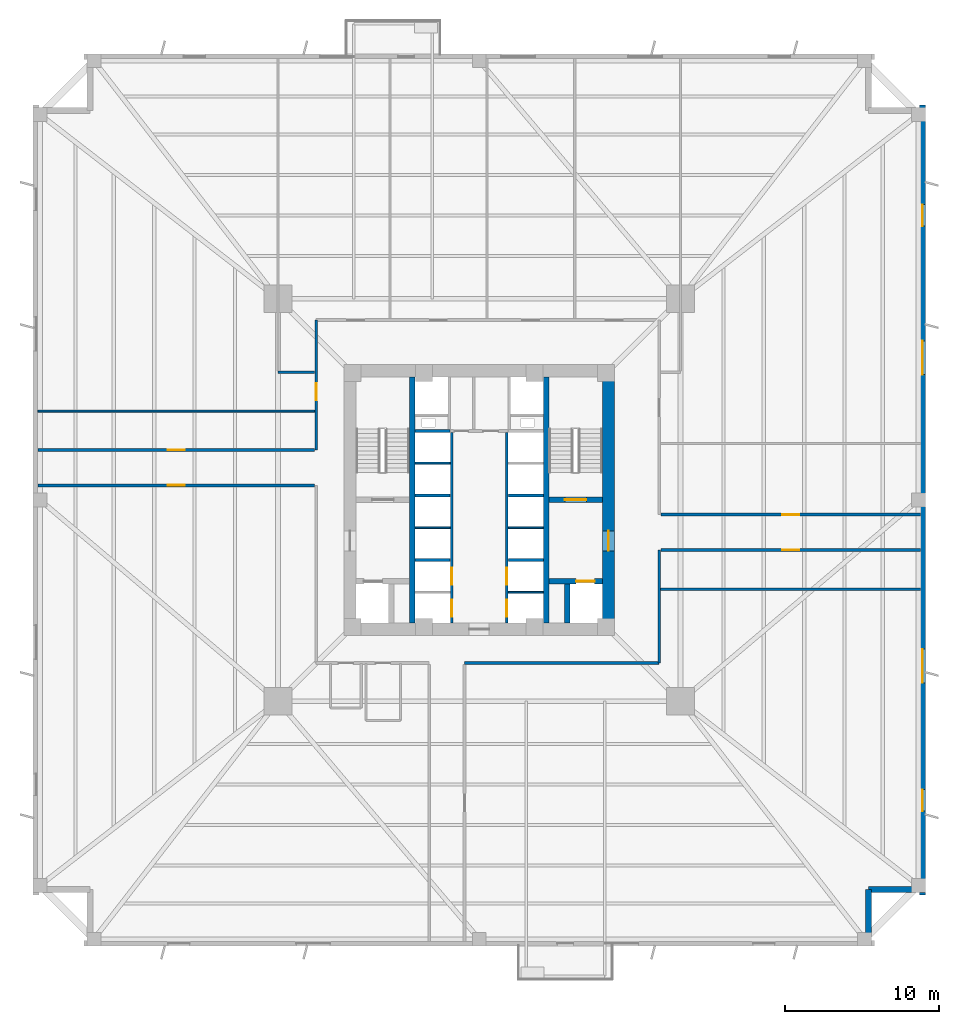
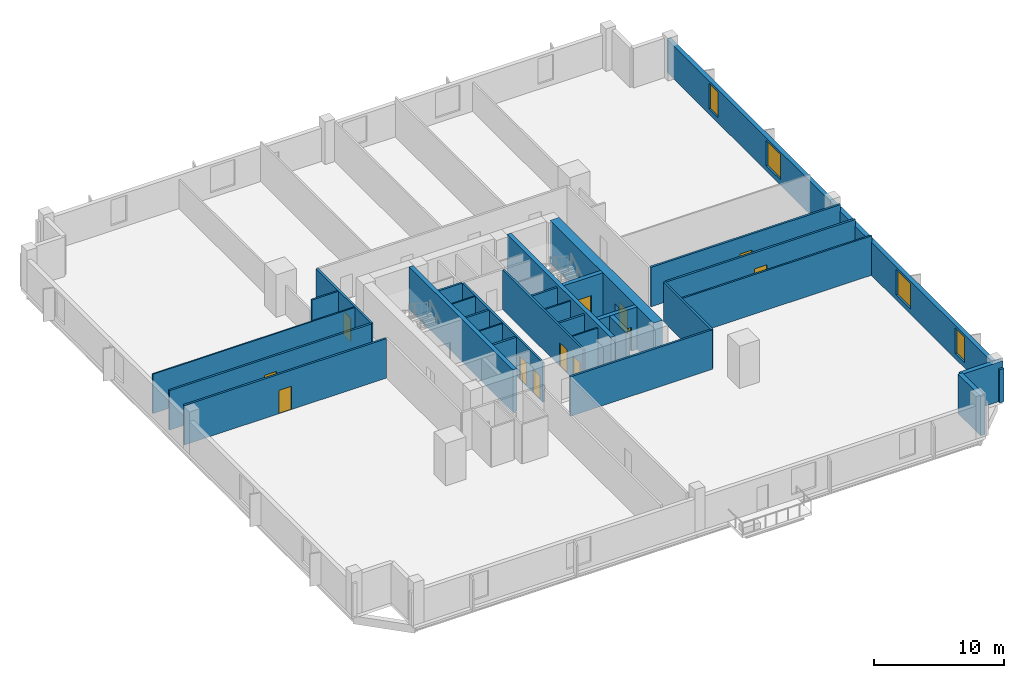
# One storey, part 3 of 8: 30 walls, 12 doors, 4 windows, 16 openings.
"""IFC4 building model written with IfcOpenShell, lengths in metres."""

from ifc_helpers import new_model, si_unit, direction, frame, frame_2d, origin, place, context, subcontext, project, spatial, rectangle, extrude, source, transform, mapped, material, layer, layer_set, type_object, element, fill, save


model = new_model("IFC4")

# Units and contexts
model_context = context("Model", 3, precision=1e-05, world=origin(), true_north=direction((0.0, 1.0)))
body_context = subcontext(model_context, "Body", "Model", "MODEL_VIEW")
ifc_project = project(units=[si_unit("LENGTHUNIT", "METRE"), si_unit("AREAUNIT", "SQUARE_METRE"), si_unit("VOLUMEUNIT", "CUBIC_METRE"), si_unit("PLANEANGLEUNIT", "RADIAN"), si_unit("MASSUNIT", "GRAM", prefix="KILO"), si_unit("THERMODYNAMICTEMPERATUREUNIT", "KELVIN")], contexts=[model_context])

# Site, building, storey
site_placement = place(None, origin())
site = spatial("IfcSite", under=ifc_project, at=site_placement, CompositionType="ELEMENT")
building_placement = place(site_placement, origin())
building = spatial("IfcBuilding", under=site, at=building_placement, Name="Kosmvard Interchange Tower", CompositionType="ELEMENT")
storey_placement = place(building_placement, frame((0.0, 0.0, 38.0)))
storey = spatial("IfcBuildingStorey", under=building, at=storey_placement, Name="L08", CompositionType="ELEMENT", Elevation=38.0)

# Walls
ifc_material_1 = material(Name="Acoustic gypsum partition system")
ifc_layer_1 = layer(ifc_material_1, 0.14990234375, Name="Acoustic gypsum partition system")
ifc_layer_set_1 = layer_set([ifc_layer_1], Name="Acoustic gypsum partition system")
wall_type_1 = type_object("IfcWallType", Name="Acoustic Suite & Meeting Partition 150", PredefinedType="PARTITIONING", material=ifc_layer_set_1)
wall_1_placement = place(storey_placement, frame((-10.695068359375, 8.300048828125, 0.0), z_axis=(0.0, 0.0, 1.0), x_axis=(-1.0, 0.0, 0.0)))
element("IfcWall", 1, at=wall_1_placement, inside=storey, type_object=wall_type_1, Name="L08 Room Partition 01.1", PredefinedType="PARTITIONING", context=body_context, shape_type="SweptSolid", body=[
    extrude(rectangle(XDim=2.385986328125, YDim=0.14990234375, at=frame_2d((1.19287109375, 0.0))), origin(), (0.0, 0.0, 1.0), 3.719970703125),
])
wall_2_placement = place(storey_placement, frame((11.794921875, -5.800048828125, 0.0), z_axis=(0.0, 0.0, 1.0), x_axis=(1.0, 0.0, 0.0)))
element("IfcWall", 2, at=wall_2_placement, inside=storey, type_object=wall_type_1, Name="L08 Room Partition 10.1", PredefinedType="PARTITIONING", context=body_context, shape_type="SweptSolid", body=[
    extrude(rectangle(XDim=16.89013671875, YDim=0.14990234375, at=frame_2d((8.445068359375, 0.0))), origin(), (0.0, 0.0, 1.0), 3.719970703125),
])

# Wall, openings, doors
ifc_material_2 = material(Name="Fire-rated gypsum partition system")
ifc_layer_2 = layer(ifc_material_2, 0.179931640625, Name="Fire-rated gypsum partition system")
ifc_layer_set_2 = layer_set([ifc_layer_2], Name="Fire-rated gypsum partition system")
wall_type_2 = type_object("IfcWallType", Name="Corridor & Hotel Compartment Partition 180", PredefinedType="PARTITIONING", material=ifc_layer_set_2)
wall_3_placement = place(storey_placement, frame((-1.7900390625, -7.97998046875, 0.0), z_axis=(0.0, 0.0, 1.0), x_axis=(0.0, 1.0, 0.0)))
wall_3 = element("IfcWall", 3, at=wall_3_placement, inside=storey, type_object=wall_type_2, Name="L08 West Lift Bank Front Wall", PredefinedType="PARTITIONING", context=body_context, shape_type="SweptSolid", body=[
    extrude(rectangle(XDim=12.3798828125, YDim=0.179931640625, at=frame_2d((6.18994140625, 0.0))), origin(), (0.0, 0.0, 1.0), 3.719970703125),
])
opening_1_placement = place(wall_3_placement, frame((0.39990234375, 0.0, 0.0)))
opening_1 = element("IfcOpeningElement", 4, at=opening_1_placement, cuts=wall_3, Name="Opening LD-PL-L1-L08", PredefinedType="OPENING", context=body_context, shape_type="SweptSolid", body=[
    extrude(rectangle(XDim=1.10009765625, YDim=2.199951171875, at=frame_2d((0.550048828125, 1.10009765625))), frame((0.0, 0.10009765625, 0.0), z_axis=(0.0, -1.0, 0.0), x_axis=(1.0, 0.0, 0.0)), (0.0, 0.0, 1.0), 0.199951171875),
])
opening_2_placement = place(wall_3_placement, frame((2.4599609375, 0.0, 0.0)))
opening_2 = element("IfcOpeningElement", 5, at=opening_2_placement, cuts=wall_3, Name="Opening LD-PL-L2-L08", PredefinedType="OPENING", context=body_context, shape_type="SweptSolid", body=[
    extrude(rectangle(XDim=1.10009765625, YDim=2.199951171875, at=frame_2d((0.550048828125, 1.10009765625))), frame((0.0, 0.10009765625, 0.0), z_axis=(0.0, -1.0, 0.0), x_axis=(1.0, 0.0, 0.0)), (0.0, 0.0, 1.0), 0.199951171875),
])
ifc_material_3 = material(Name="Brushed stainless steel sliding leaf", Category="steel")
door_type_1 = type_object("IfcDoorType", Name="Passenger Lift Sliding Landing Door 1100x2200 EI60", OperationType="DOUBLE_DOOR_SLIDING", PredefinedType="DOOR", material=ifc_material_3)
shared_shape_1 = source(origin(), body_context, "Body", "SweptSolid", [
    extrude(rectangle(XDim=1.10009765625, YDim=2.199951171875, at=frame_2d((0.550048828125, 1.10009765625))), frame((0.0, 0.02490234375, 0.0), z_axis=(0.0, -1.0, 0.0), x_axis=(1.0, 0.0, 0.0)), (0.0, 0.0, 1.0), 0.050048828125),
])
door_1_placement = place(opening_1_placement, frame((1.10009765625, 0.0, 0.0), z_axis=(0.0, 0.0, 1.0), x_axis=(-1.0, 0.0, 0.0)))
door_1 = element("IfcDoor", 6, at=door_1_placement, inside=storey, type_object=door_type_1, Name="Lift PL-L1 Landing Door L08", OperationType="DOUBLE_DOOR_SLIDING", OverallHeight=2.199951171875, OverallWidth=1.10009765625, PredefinedType="DOOR", context=body_context, shape_type="MappedRepresentation", body=[
    mapped(shared_shape_1, transform((0.0, 0.0, 0.0), scale=1.0)),
])
fill(opening_1, door_1)
door_2_placement = place(opening_2_placement, frame((1.10009765625, 0.0, 0.0), z_axis=(0.0, 0.0, 1.0), x_axis=(-1.0, 0.0, 0.0)))
door_2 = element("IfcDoor", 7, at=door_2_placement, inside=storey, type_object=door_type_1, Name="Lift PL-L2 Landing Door L08", OperationType="DOUBLE_DOOR_SLIDING", OverallHeight=2.199951171875, OverallWidth=1.10009765625, PredefinedType="DOOR", context=body_context, shape_type="MappedRepresentation", body=[
    mapped(shared_shape_1, transform((0.0, 0.0, 0.0), scale=1.0)),
])
fill(opening_2, door_2)

wall_4_placement = place(storey_placement, frame((1.7900390625, -7.97998046875, 0.0), z_axis=(0.0, 0.0, 1.0), x_axis=(0.0, 1.0, 0.0)))
wall_4 = element("IfcWall", 8, at=wall_4_placement, inside=storey, type_object=wall_type_2, Name="L08 East Lift Bank Front Wall", PredefinedType="PARTITIONING", context=body_context, shape_type="SweptSolid", body=[
    extrude(rectangle(XDim=12.3798828125, YDim=0.179931640625, at=frame_2d((6.18994140625, 0.0))), origin(), (0.0, 0.0, 1.0), 3.719970703125),
])
opening_3_placement = place(wall_4_placement, frame((0.39990234375, 0.0, 0.0)))
opening_3 = element("IfcOpeningElement", 9, at=opening_3_placement, cuts=wall_4, Name="Opening LD-PL-L3-L08", PredefinedType="OPENING", context=body_context, shape_type="SweptSolid", body=[
    extrude(rectangle(XDim=1.10009765625, YDim=2.199951171875, at=frame_2d((0.550048828125, 1.10009765625))), frame((0.0, 0.10009765625, 0.0), z_axis=(0.0, -1.0, 0.0), x_axis=(1.0, 0.0, 0.0)), (0.0, 0.0, 1.0), 0.199951171875),
])
opening_4_placement = place(wall_4_placement, frame((2.4599609375, 0.0, 0.0)))
opening_4 = element("IfcOpeningElement", 10, at=opening_4_placement, cuts=wall_4, Name="Opening LD-PL-L4-L08", PredefinedType="OPENING", context=body_context, shape_type="SweptSolid", body=[
    extrude(rectangle(XDim=1.10009765625, YDim=2.199951171875, at=frame_2d((0.550048828125, 1.10009765625))), frame((0.0, 0.10009765625, 0.0), z_axis=(0.0, -1.0, 0.0), x_axis=(1.0, 0.0, 0.0)), (0.0, 0.0, 1.0), 0.199951171875),
])
door_3_placement = place(opening_3_placement, origin())
door_3 = element("IfcDoor", 11, at=door_3_placement, inside=storey, type_object=door_type_1, Name="Lift PL-L3 Landing Door L08", OperationType="DOUBLE_DOOR_SLIDING", OverallHeight=2.199951171875, OverallWidth=1.10009765625, PredefinedType="DOOR", context=body_context, shape_type="MappedRepresentation", body=[
    mapped(shared_shape_1, transform((0.0, 0.0, 0.0), scale=1.0)),
])
fill(opening_3, door_3)
door_4_placement = place(opening_4_placement, origin())
door_4 = element("IfcDoor", 12, at=door_4_placement, inside=storey, type_object=door_type_1, Name="Lift PL-L4 Landing Door L08", OperationType="DOUBLE_DOOR_SLIDING", OverallHeight=2.199951171875, OverallWidth=1.10009765625, PredefinedType="DOOR", context=body_context, shape_type="MappedRepresentation", body=[
    mapped(shared_shape_1, transform((0.0, 0.0, 0.0), scale=1.0)),
])
fill(opening_4, door_4)

# Wall
wall_5_placement = place(storey_placement, frame((-0.949951171875, -10.60009765625, 0.0), z_axis=(0.0, 0.0, 1.0), x_axis=(1.0, 0.0, 0.0)))
element("IfcWall", 13, at=wall_5_placement, inside=storey, type_object=wall_type_2, Name="L08 Corridor Wall CSE", PredefinedType="PARTITIONING", context=body_context, shape_type="SweptSolid", body=[
    extrude(rectangle(XDim=12.64990234375, YDim=0.179931640625, at=frame_2d((6.324951171875, 0.0))), origin(), (0.0, 0.0, 1.0), 3.719970703125),
])

# Wall, opening, door
wall_6_placement = place(storey_placement, frame((-10.60009765625, 3.25, 0.0), z_axis=(0.0, 0.0, 1.0), x_axis=(0.0, 1.0, 0.0)))
wall_6 = element("IfcWall", 14, at=wall_6_placement, inside=storey, type_object=wall_type_2, Name="L08 Corridor Wall CWN", PredefinedType="PARTITIONING", context=body_context, shape_type="SweptSolid", body=[
    extrude(rectangle(XDim=8.449951171875, YDim=0.179931640625, at=frame_2d((4.22509765625, 0.0))), origin(), (0.0, 0.0, 1.0), 3.719970703125),
])
opening_5_placement = place(wall_6_placement, frame((3.237548828125, 0.0, 0.0)))
opening_5 = element("IfcOpeningElement", 15, at=opening_5_placement, cuts=wall_6, Name="Opening L08-D04", PredefinedType="OPENING", context=body_context, shape_type="SweptSolid", body=[
    extrude(rectangle(XDim=1.10009765625, YDim=2.199951171875, at=frame_2d((0.550048828125, 1.10009765625))), frame((0.0, 0.10009765625, 0.0), z_axis=(0.0, -1.0, 0.0), x_axis=(1.0, 0.0, 0.0)), (0.0, 0.0, 1.0), 0.199951171875),
])
ifc_material_4 = material(Name="Engineered oak fire-rated timber", Category="wood")
door_type_2 = type_object("IfcDoorType", Name="Office Suite Entrance Door 1100x2200 FD30S", OperationType="NOTDEFINED", PredefinedType="DOOR", material=ifc_material_4)
door_5_placement = place(opening_5_placement, origin())
door_5 = element("IfcDoor", 16, at=door_5_placement, inside=storey, type_object=door_type_2, Name="L08 West Advisory Office 2 Door", OperationType="SINGLE_SWING_RIGHT", OverallHeight=2.199951171875, OverallWidth=1.10009765625, PredefinedType="DOOR", context=body_context, shape_type="MappedRepresentation", body=[
    mapped(shared_shape_1, transform((0.0, 0.0, 0.0), scale=1.0)),
])
fill(opening_5, door_5)

# Wall
wall_7_placement = place(storey_placement, frame((11.699951171875, -10.60009765625, 0.0), z_axis=(0.0, 0.0, 1.0), x_axis=(0.0, 1.0, 0.0)))
element("IfcWall", 17, at=wall_7_placement, inside=storey, type_object=wall_type_2, Name="L08 Corridor Wall CES", PredefinedType="PARTITIONING", context=body_context, shape_type="SweptSolid", body=[
    extrude(rectangle(XDim=7.35009765625, YDim=0.179931640625, at=frame_2d((3.675048828125, 0.0))), origin(), (0.0, 0.0, 1.0), 3.719970703125),
])

# Wall, opening, door
wall_8_placement = place(storey_placement, frame((-28.68505859375, 0.949951171875, 0.0), z_axis=(0.0, 0.0, 1.0), x_axis=(1.0, 0.0, 0.0)))
wall_8 = element("IfcWall", 18, at=wall_8_placement, inside=storey, type_object=wall_type_2, Name="L08 Corridor Wall SWS", PredefinedType="PARTITIONING", context=body_context, shape_type="SweptSolid", body=[
    extrude(rectangle(XDim=17.985107421875, YDim=0.179931640625, at=frame_2d((8.99267578125, 0.0))), origin(), (0.0, 0.0, 1.0), 3.719970703125),
])
opening_6_placement = place(wall_8_placement, frame((8.4423828125, 0.0, 0.0)))
opening_6 = element("IfcOpeningElement", 19, at=opening_6_placement, cuts=wall_8, Name="Opening L08-D13", PredefinedType="OPENING", context=body_context, shape_type="SweptSolid", body=[
    extrude(rectangle(XDim=1.10009765625, YDim=2.199951171875, at=frame_2d((0.550048828125, 1.10009765625))), frame((0.0, 0.10009765625, 0.0), z_axis=(0.0, -1.0, 0.0), x_axis=(1.0, 0.0, 0.0)), (0.0, 0.0, 1.0), 0.199951171875),
])
door_6_placement = place(opening_6_placement, frame((1.10009765625, 0.0, 0.0), z_axis=(0.0, 0.0, 1.0), x_axis=(-1.0, 0.0, 0.0)))
door_6 = element("IfcDoor", 20, at=door_6_placement, inside=storey, type_object=door_type_2, Name="L08 South-West Open Workplace Door", OperationType="SINGLE_SWING_LEFT", OverallHeight=2.199951171875, OverallWidth=1.10009765625, PredefinedType="DOOR", context=body_context, shape_type="MappedRepresentation", body=[
    mapped(shared_shape_1, transform((0.0, 0.0, 0.0), scale=1.0)),
])
fill(opening_6, door_6)

wall_9_placement = place(storey_placement, frame((-28.68505859375, 3.25, 0.0), z_axis=(0.0, 0.0, 1.0), x_axis=(1.0, 0.0, 0.0)))
wall_9 = element("IfcWall", 21, at=wall_9_placement, inside=storey, type_object=wall_type_2, Name="L08 Corridor Wall SWN", PredefinedType="PARTITIONING", context=body_context, shape_type="SweptSolid", body=[
    extrude(rectangle(XDim=17.985107421875, YDim=0.179931640625, at=frame_2d((8.99267578125, 0.0))), origin(), (0.0, 0.0, 1.0), 3.719970703125),
])
opening_7_placement = place(wall_9_placement, frame((8.4423828125, 0.0, 0.0)))
opening_7 = element("IfcOpeningElement", 22, at=opening_7_placement, cuts=wall_9, Name="Opening L08-D03", PredefinedType="OPENING", context=body_context, shape_type="SweptSolid", body=[
    extrude(rectangle(XDim=1.10009765625, YDim=2.199951171875, at=frame_2d((0.550048828125, 1.10009765625))), frame((0.0, 0.10009765625, 0.0), z_axis=(0.0, -1.0, 0.0), x_axis=(1.0, 0.0, 0.0)), (0.0, 0.0, 1.0), 0.199951171875),
])
door_7_placement = place(opening_7_placement, origin())
door_7 = element("IfcDoor", 23, at=door_7_placement, inside=storey, type_object=door_type_2, Name="L08 West Corner Office 1 Door", OperationType="SINGLE_SWING_LEFT", OverallHeight=2.199951171875, OverallWidth=1.10009765625, PredefinedType="DOOR", context=body_context, shape_type="MappedRepresentation", body=[
    mapped(shared_shape_1, transform((0.0, 0.0, 0.0), scale=1.0)),
])
fill(opening_7, door_7)

wall_10_placement = place(storey_placement, frame((11.800048828125, -3.25, 0.0), z_axis=(0.0, 0.0, 1.0), x_axis=(1.0, 0.0, 0.0)))
wall_10 = element("IfcWall", 24, at=wall_10_placement, inside=storey, type_object=wall_type_2, Name="L08 Corridor Wall SES", PredefinedType="PARTITIONING", context=body_context, shape_type="SweptSolid", body=[
    extrude(rectangle(XDim=16.885009765625, YDim=0.179931640625, at=frame_2d((8.4423828125, 0.0))), origin(), (0.0, 0.0, 1.0), 3.719970703125),
])
opening_8_placement = place(wall_10_placement, frame((7.892578125, 0.0, 0.0)))
opening_8 = element("IfcOpeningElement", 25, at=opening_8_placement, cuts=wall_10, Name="Opening L08-D11", PredefinedType="OPENING", context=body_context, shape_type="SweptSolid", body=[
    extrude(rectangle(XDim=1.10009765625, YDim=2.199951171875, at=frame_2d((0.550048828125, 1.10009765625))), frame((0.0, 0.10009765625, 0.0), z_axis=(0.0, -1.0, 0.0), x_axis=(1.0, 0.0, 0.0)), (0.0, 0.0, 1.0), 0.199951171875),
])
door_8_placement = place(opening_8_placement, frame((1.10009765625, 0.0, 0.0), z_axis=(0.0, 0.0, 1.0), x_axis=(-1.0, 0.0, 0.0)))
door_8 = element("IfcDoor", 26, at=door_8_placement, inside=storey, type_object=door_type_2, Name="L08 Staff Catering Pantry Door", OperationType="SINGLE_SWING_LEFT", OverallHeight=2.199951171875, OverallWidth=1.10009765625, PredefinedType="DOOR", context=body_context, shape_type="MappedRepresentation", body=[
    mapped(shared_shape_1, transform((0.0, 0.0, 0.0), scale=1.0)),
])
fill(opening_8, door_8)

wall_11_placement = place(storey_placement, frame((11.800048828125, -0.949951171875, 0.0), z_axis=(0.0, 0.0, 1.0), x_axis=(1.0, 0.0, 0.0)))
wall_11 = element("IfcWall", 27, at=wall_11_placement, inside=storey, type_object=wall_type_2, Name="L08 Corridor Wall SEN", PredefinedType="PARTITIONING", context=body_context, shape_type="SweptSolid", body=[
    extrude(rectangle(XDim=16.885009765625, YDim=0.179931640625, at=frame_2d((8.4423828125, 0.0))), origin(), (0.0, 0.0, 1.0), 3.719970703125),
])
opening_9_placement = place(wall_11_placement, frame((7.892578125, 0.0, 0.0)))
opening_9 = element("IfcOpeningElement", 28, at=opening_9_placement, cuts=wall_11, Name="Opening L08-D09", PredefinedType="OPENING", context=body_context, shape_type="SweptSolid", body=[
    extrude(rectangle(XDim=1.10009765625, YDim=2.199951171875, at=frame_2d((0.550048828125, 1.10009765625))), frame((0.0, 0.10009765625, 0.0), z_axis=(0.0, -1.0, 0.0), x_axis=(1.0, 0.0, 0.0)), (0.0, 0.0, 1.0), 0.199951171875),
])
door_9_placement = place(opening_9_placement, origin())
door_9 = element("IfcDoor", 29, at=door_9_placement, inside=storey, type_object=door_type_2, Name="L08 East Advisory Office 5 Door", OperationType="SINGLE_SWING_LEFT", OverallHeight=2.199951171875, OverallWidth=1.10009765625, PredefinedType="DOOR", context=body_context, shape_type="MappedRepresentation", body=[
    mapped(shared_shape_1, transform((0.0, 0.0, 0.0), scale=1.0)),
])
fill(opening_9, door_9)

ifc_material_5 = material(Name="Concrete C80/95", Category="concrete")
ifc_layer_3 = layer(ifc_material_5, 0.800048828125, Name="Concrete C80/95")
ifc_layer_set_3 = layer_set([ifc_layer_3], Name="Concrete C80/95")
wall_type_3 = type_object("IfcWallType", Name="Lower Core Shear Wall 800 C80/95", PredefinedType="SHEAR", material=ifc_layer_set_3)
wall_12_placement = place(storey_placement, frame((8.39990234375, -8.0, 0.0), z_axis=(0.0, 0.0, 1.0), x_axis=(0.0, 1.0, 0.0)))
wall_12 = element("IfcWall", 30, at=wall_12_placement, inside=storey, type_object=wall_type_3, Name="L08 Core Shear Wall CW-E", PredefinedType="SHEAR", context=body_context, shape_type="SweptSolid", body=[
    extrude(rectangle(XDim=16.0, YDim=0.800048828125, at=frame_2d((8.0, 0.0))), origin(), (0.0, 0.0, 1.0), 4.0),
])
opening_10_placement = place(wall_12_placement, frame((4.68994140625, 0.0, 0.0)))
opening_10 = element("IfcOpeningElement", 31, at=opening_10_placement, cuts=wall_12, Name="Opening L08-FD2", PredefinedType="OPENING", context=body_context, shape_type="SweptSolid", body=[
    extrude(rectangle(XDim=1.300048828125, YDim=2.199951171875, at=frame_2d((0.64990234375, 1.10009765625))), frame((0.0, 0.41015625, 0.0), z_axis=(0.0, -1.0, 0.0), x_axis=(1.0, 0.0, 0.0)), (0.0, 0.0, 1.0), 0.820068359375),
])
ifc_material_6 = material(Name="Painted fire-rated steel leaf", Category="steel")
door_type_3 = type_object("IfcDoorType", Name="Firefighting Lobby Door 1300x2200 EI60", OperationType="NOTDEFINED", PredefinedType="DOOR", material=ifc_material_6)
shared_shape_2 = source(origin(), body_context, "Body", "SweptSolid", [
    extrude(rectangle(XDim=1.300048828125, YDim=2.199951171875, at=frame_2d((0.64990234375, 1.10009765625))), frame((0.0, 0.02490234375, 0.0), z_axis=(0.0, -1.0, 0.0), x_axis=(1.0, 0.0, 0.0)), (0.0, 0.0, 1.0), 0.050048828125),
])
door_10_placement = place(opening_10_placement, origin())
door_10 = element("IfcDoor", 32, at=door_10_placement, inside=storey, type_object=door_type_3, Name="L08 Firefighting Lobby East Door", OperationType="SINGLE_SWING_RIGHT", OverallHeight=2.199951171875, OverallWidth=1.300048828125, PredefinedType="DOOR", context=body_context, shape_type="MappedRepresentation", body=[
    mapped(shared_shape_2, transform((0.0, 0.0, 0.0), scale=1.0)),
])
fill(opening_10, door_10)

# Walls
ifc_material_7 = material(Name="Precast concrete C45/55", Category="concrete")
ifc_layer_4 = layer(ifc_material_7, 0.3798828125, Name="Precast concrete C45/55")
ifc_layer_set_4 = layer_set([ifc_layer_4], Name="Precast concrete C45/55")
wall_type_4 = type_object("IfcWallType", Name="Lower Tower Precast Pier Wall 380 C45/55", PredefinedType="STANDARD", material=ifc_layer_set_4)
wall_13_placement = place(storey_placement, frame((25.31005859375, -28.81005859375, 0.0), z_axis=(0.0, 0.0, 1.0), x_axis=(0.0, 1.0, 0.0)))
element("IfcWall", 33, at=wall_13_placement, inside=storey, type_object=wall_type_4, Name="L08 Precast Facade Wall N-SE1", PredefinedType="STANDARD", context=body_context, shape_type="SweptSolid", body=[
    extrude(rectangle(XDim=3.5, YDim=0.3798828125, at=frame_2d((1.75, 0.0))), origin(), (0.0, 0.0, 1.0), 3.719970703125),
])
wall_14_placement = place(storey_placement, frame((25.31005859375, -25.31005859375, 0.0), z_axis=(0.0, 0.0, 1.0), x_axis=(1.0, 0.0, 0.0)))
element("IfcWall", 34, at=wall_14_placement, inside=storey, type_object=wall_type_4, Name="L08 Precast Facade Wall N-SE2", PredefinedType="STANDARD", context=body_context, shape_type="SweptSolid", body=[
    extrude(rectangle(XDim=3.68994140625, YDim=0.3798828125, at=frame_2d((1.844970703125, 0.0))), origin(), (0.0, 0.0, 1.0), 3.719970703125),
])

# Wall, openings, windows
wall_15_placement = place(storey_placement, frame((28.81005859375, -25.68994140625, 0.0), z_axis=(0.0, 0.0, 1.0), x_axis=(0.0, 1.0, 0.0)))
wall_15 = element("IfcWall", 35, at=wall_15_placement, inside=storey, type_object=wall_type_4, Name="L08 Precast Facade Wall F-E", PredefinedType="STANDARD", context=body_context, shape_type="SweptSolid", body=[
    extrude(rectangle(XDim=51.3798828125, YDim=0.3798828125, at=frame_2d((25.68994140625, 0.0))), origin(), (0.0, 0.0, 1.0), 3.1201171875),
])
opening_11_placement = place(wall_15_placement, frame((5.465576171875, 0.0, 0.489990234375)))
opening_11 = element("IfcOpeningElement", 36, at=opening_11_placement, cuts=wall_15, Name="Opening L08-W05", PredefinedType="OPENING", context=body_context, shape_type="SweptSolid", body=[
    extrude(rectangle(XDim=1.39990234375, YDim=2.39990234375, at=frame_2d((0.699951171875, 1.199951171875))), frame((0.0, 0.199951171875, 0.0), z_axis=(0.0, -1.0, 0.0), x_axis=(1.0, 0.0, 0.0)), (0.0, 0.0, 1.0), 0.39990234375),
])
opening_12_placement = place(wall_15_placement, frame((13.80029296875, 0.0, 0.489990234375)))
opening_12 = element("IfcOpeningElement", 37, at=opening_12_placement, cuts=wall_15, Name="Opening L08-W06", PredefinedType="OPENING", context=body_context, shape_type="SweptSolid", body=[
    extrude(rectangle(XDim=2.199951171875, YDim=2.39990234375, at=frame_2d((1.10009765625, 1.199951171875))), frame((0.0, 0.199951171875, 0.0), z_axis=(0.0, -1.0, 0.0), x_axis=(1.0, 0.0, 0.0)), (0.0, 0.0, 1.0), 0.39990234375),
])
opening_13_placement = place(wall_15_placement, frame((33.83837890625, 0.0, 0.489990234375)))
opening_13 = element("IfcOpeningElement", 38, at=opening_13_placement, cuts=wall_15, Name="Opening L08-W07", PredefinedType="OPENING", context=body_context, shape_type="SweptSolid", body=[
    extrude(rectangle(XDim=2.199951171875, YDim=2.39990234375, at=frame_2d((1.10009765625, 1.199951171875))), frame((0.0, 0.199951171875, 0.0), z_axis=(0.0, -1.0, 0.0), x_axis=(1.0, 0.0, 0.0)), (0.0, 0.0, 1.0), 0.39990234375),
])
opening_14_placement = place(wall_15_placement, frame((43.48681640625, 0.0, 0.489990234375)))
opening_14 = element("IfcOpeningElement", 39, at=opening_14_placement, cuts=wall_15, Name="Opening L08-W08", PredefinedType="OPENING", context=body_context, shape_type="SweptSolid", body=[
    extrude(rectangle(XDim=1.39990234375, YDim=2.39990234375, at=frame_2d((0.699951171875, 1.199951171875))), frame((0.0, 0.199951171875, 0.0), z_axis=(0.0, -1.0, 0.0), x_axis=(1.0, 0.0, 0.0)), (0.0, 0.0, 1.0), 0.39990234375),
])
ifc_material_8 = material(Name="Low-E solar-control double glazing", Category="glass")
window_type_1 = type_object("IfcWindowType", Name="Notched Corner Feature Window 1400x2400", PartitioningType="SINGLE_PANEL", PredefinedType="WINDOW", material=ifc_material_8)
shared_shape_3 = source(origin(), body_context, "Body", "SweptSolid", [
    extrude(rectangle(XDim=1.39990234375, YDim=2.39990234375, at=frame_2d((0.699951171875, 1.199951171875))), frame((0.0, 0.030029296875, 0.0), z_axis=(0.0, -1.0, 0.0), x_axis=(1.0, 0.0, 0.0)), (0.0, 0.0, 1.0), 0.06005859375),
])
window_1_placement = place(opening_11_placement, origin())
window_1 = element("IfcWindow", 40, at=window_1_placement, inside=storey, type_object=window_type_1, Name="L08 Facade Punched Window 05", OverallHeight=2.39990234375, OverallWidth=1.39990234375, PartitioningType="SINGLE_PANEL", PredefinedType="WINDOW", context=body_context, shape_type="MappedRepresentation", body=[
    mapped(shared_shape_3, transform((0.0, 0.0, 0.0), scale=1.0)),
])
fill(opening_11, window_1)
window_2_placement = place(opening_14_placement, origin())
window_2 = element("IfcWindow", 41, at=window_2_placement, inside=storey, type_object=window_type_1, Name="L08 Facade Punched Window 08", OverallHeight=2.39990234375, OverallWidth=1.39990234375, PartitioningType="SINGLE_PANEL", PredefinedType="WINDOW", context=body_context, shape_type="MappedRepresentation", body=[
    mapped(shared_shape_3, transform((0.0, 0.0, 0.0), scale=1.0)),
])
fill(opening_14, window_2)
window_type_2 = type_object("IfcWindowType", Name="Zone 1 Office Punched Window 2200x2400", PartitioningType="SINGLE_PANEL", PredefinedType="WINDOW", material=ifc_material_8)
shared_shape_4 = source(origin(), body_context, "Body", "SweptSolid", [
    extrude(rectangle(XDim=2.199951171875, YDim=2.39990234375, at=frame_2d((1.10009765625, 1.199951171875))), frame((0.0, 0.030029296875, 0.0), z_axis=(0.0, -1.0, 0.0), x_axis=(1.0, 0.0, 0.0)), (0.0, 0.0, 1.0), 0.06005859375),
])
window_3_placement = place(opening_12_placement, origin())
window_3 = element("IfcWindow", 42, at=window_3_placement, inside=storey, type_object=window_type_2, Name="L08 Facade Punched Window 06", OverallHeight=2.39990234375, OverallWidth=2.199951171875, PartitioningType="SINGLE_PANEL", PredefinedType="WINDOW", context=body_context, shape_type="MappedRepresentation", body=[
    mapped(shared_shape_4, transform((0.0, 0.0, 0.0), scale=1.0)),
])
fill(opening_12, window_3)
window_4_placement = place(opening_13_placement, origin())
window_4 = element("IfcWindow", 43, at=window_4_placement, inside=storey, type_object=window_type_2, Name="L08 Facade Punched Window 07", OverallHeight=2.39990234375, OverallWidth=2.199951171875, PartitioningType="SINGLE_PANEL", PredefinedType="WINDOW", context=body_context, shape_type="MappedRepresentation", body=[
    mapped(shared_shape_4, transform((0.0, 0.0, 0.0), scale=1.0)),
])
fill(opening_13, window_4)

# Walls
ifc_material_9 = material(Name="Gypsum board partition system")
ifc_layer_5 = layer(ifc_material_9, 0.1201171875, Name="Gypsum board partition system")
ifc_layer_set_5 = layer_set([ifc_layer_5], Name="Gypsum board partition system")
wall_type_5 = type_object("IfcWallType", Name="Office Cellular Partition 120", PredefinedType="PARTITIONING", material=ifc_layer_set_5)
wall_16_placement = place(storey_placement, frame((-28.68505859375, 5.77490234375, 0.0), z_axis=(0.0, 0.0, 1.0), x_axis=(1.0, 0.0, 0.0)))
element("IfcWall", 44, at=wall_16_placement, inside=storey, type_object=wall_type_5, Name="L08 Room Partition 08.1", PredefinedType="PARTITIONING", context=body_context, shape_type="SweptSolid", body=[
    extrude(rectangle(XDim=17.989990234375, YDim=0.1201171875, at=frame_2d((8.9951171875, 0.0))), origin(), (0.0, 0.0, 1.0), 3.719970703125),
])
ifc_material_10 = material(Name="Concrete blockwork masonry", Category="masonry")
ifc_layer_6 = layer(ifc_material_10, 0.179931640625, Name="Concrete blockwork masonry")
ifc_layer_set_6 = layer_set([ifc_layer_6], Name="Concrete blockwork masonry")
wall_type_6 = type_object("IfcWallType", Name="Riser & Lift Bank Divider Wall 180", PredefinedType="PARTITIONING", material=ifc_layer_set_6)
for number, where, z_axis, x_axis, name in (
    (45, (-4.169921875, -3.89990234375, 0.0), (0.0, 0.0, 1.0), (1.0, 0.0, 0.0), "L08 West Bank Divider BD1"),
    (46, (1.889892578125, -3.89990234375, 0.0), (0.0, 0.0, 1.0), (1.0, 0.0, 0.0), "L08 East Bank Divider BD1"),
    (47, (-4.169921875, 0.300048828125, 0.0), (0.0, 0.0, 1.0), (1.0, 0.0, 0.0), "L08 West Bank Divider BD2"),
    (48, (1.889892578125, 0.300048828125, 0.0), (0.0, 0.0, 1.0), (1.0, 0.0, 0.0), "L08 East Bank Divider BD2"),
    (49, (-4.169921875, 4.489990234375, 0.0), (0.0, 0.0, 1.0), (1.0, 0.0, 0.0), "L08 West Bank Divider BD3"),
):
    element("IfcWall", number, at=place(storey_placement, frame(where, z_axis=z_axis, x_axis=x_axis)), inside=storey, type_object=wall_type_6, Name=name, PredefinedType="PARTITIONING", context=body_context, shape_type="SweptSolid", body=[
        extrude(rectangle(XDim=2.280029296875, YDim=0.179931640625, at=frame_2d((1.14013671875, 0.0))), origin(), (0.0, 0.0, 1.0), 3.719970703125),
    ])
ifc_material_11 = material(Name="Fire-rated gypsum shaftwall system")
ifc_layer_7 = layer(ifc_material_11, 0.1201171875, Name="Fire-rated gypsum shaftwall system")
ifc_layer_set_7 = layer_set([ifc_layer_7], Name="Fire-rated gypsum shaftwall system")
wall_type_7 = type_object("IfcWallType", Name="Shaft & Riser Fire Partition 120 EI60", PredefinedType="PARTITIONING", material=ifc_layer_set_7)
for number, where, z_axis, x_axis, name in (
    (50, (1.89990234375, -6.0, 0.0), (0.0, 0.0, 1.0), (1.0, 0.0, 0.0), "L08 Shaft Divider PL-L3"),
    (51, (-4.159912109375, -1.800048828125, 0.0), (0.0, 0.0, 1.0), (1.0, 0.0, 0.0), "L08 Shaft Divider PL-M1"),
    (52, (1.89990234375, -1.800048828125, 0.0), (0.0, 0.0, 1.0), (1.0, 0.0, 0.0), "L08 Shaft Divider PL-M3"),
    (53, (-4.159912109375, 2.39990234375, 0.0), (0.0, 0.0, 1.0), (1.0, 0.0, 0.0), "L08 Shaft Divider PL-H1"),
):
    element("IfcWall", number, at=place(storey_placement, frame(where, z_axis=z_axis, x_axis=x_axis)), inside=storey, type_object=wall_type_7, Name=name, PredefinedType="PARTITIONING", context=body_context, shape_type="SweptSolid", body=[
        extrude(rectangle(XDim=2.260009765625, YDim=0.1201171875, at=frame_2d((1.1298828125, 0.0))), origin(), (0.0, 0.0, 1.0), 3.719970703125),
    ])
ifc_material_12 = material(Name="Concrete C60/75", Category="concrete")
ifc_layer_8 = layer(ifc_material_12, 0.360107421875, Name="Concrete C60/75")
ifc_layer_set_8 = layer_set([ifc_layer_8], Name="Concrete C60/75")
wall_type_8 = type_object("IfcWallType", Name="Stair & Lift Shaft Shear Wall 360 C60/75", PredefinedType="SHEAR", material=ifc_layer_set_8)
for number, where, z_axis, x_axis, name in (
    (54, (-4.360107421875, -8.0, 0.0), (0.0, 0.0, 1.0), (0.0, 1.0, 0.0), "L08 Shaft Shear Wall SW-W"),
    (55, (4.360107421875, -8.0, 0.0), (0.0, 0.0, 1.0), (0.0, 1.0, 0.0), "L08 Shaft Shear Wall SW-E"),
):
    element("IfcWall", number, at=place(storey_placement, frame(where, z_axis=z_axis, x_axis=x_axis)), inside=storey, type_object=wall_type_8, Name=name, PredefinedType="SHEAR", context=body_context, shape_type="SweptSolid", body=[
        extrude(rectangle(XDim=16.0, YDim=0.360107421875, at=frame_2d((8.0, 0.0))), origin(), (0.0, 0.0, 1.0), 4.0),
    ])

# Wall, opening, door
wall_17_placement = place(storey_placement, frame((4.5400390625, 0.02001953125, 0.0), z_axis=(0.0, 0.0, 1.0), x_axis=(1.0, 0.0, 0.0)))
wall_17 = element("IfcWall", 56, at=wall_17_placement, inside=storey, type_object=wall_type_8, Name="L08 Shaft Shear Wall SW-ST2", PredefinedType="SHEAR", context=body_context, shape_type="SweptSolid", body=[
    extrude(rectangle(XDim=3.4599609375, YDim=0.360107421875, at=frame_2d((1.72998046875, 0.0))), origin(), (0.0, 0.0, 1.0), 4.0),
])
opening_15_placement = place(wall_17_placement, frame((1.030029296875, 0.0, 0.0)))
opening_15 = element("IfcOpeningElement", 57, at=opening_15_placement, cuts=wall_17, Name="Opening L08-SD2", PredefinedType="OPENING", context=body_context, shape_type="SweptSolid", body=[
    extrude(rectangle(XDim=1.39990234375, YDim=2.199951171875, at=frame_2d((0.699951171875, 1.10009765625))), frame((0.0, 0.18994140625, 0.0), z_axis=(0.0, -1.0, 0.0), x_axis=(1.0, 0.0, 0.0)), (0.0, 0.0, 1.0), 0.380126953125),
])
door_type_4 = type_object("IfcDoorType", Name="Protected Stair Door 1400x2200 FD60S", OperationType="NOTDEFINED", PredefinedType="DOOR", material=ifc_material_6)
shared_shape_5 = source(origin(), body_context, "Body", "SweptSolid", [
    extrude(rectangle(XDim=1.39990234375, YDim=2.199951171875, at=frame_2d((0.699951171875, 1.10009765625))), frame((0.0, 0.02490234375, 0.0), z_axis=(0.0, -1.0, 0.0), x_axis=(1.0, 0.0, 0.0)), (0.0, 0.0, 1.0), 0.050048828125),
])
door_11_placement = place(opening_15_placement, origin())
door_11 = element("IfcDoor", 58, at=door_11_placement, inside=storey, type_object=door_type_4, Name="L08 Stair ST-2 Enclosure Door", OperationType="SINGLE_SWING_RIGHT", OverallHeight=2.199951171875, OverallWidth=1.39990234375, PredefinedType="DOOR", context=body_context, shape_type="MappedRepresentation", body=[
    mapped(shared_shape_5, transform((0.0, 0.0, 0.0), scale=1.0)),
])
fill(opening_15, door_11)

wall_18_placement = place(storey_placement, frame((4.5400390625, -5.280029296875, 0.0), z_axis=(0.0, 0.0, 1.0), x_axis=(1.0, 0.0, 0.0)))
wall_18 = element("IfcWall", 59, at=wall_18_placement, inside=storey, type_object=wall_type_8, Name="L08 Shaft Shear Wall SW-FF2", PredefinedType="SHEAR", context=body_context, shape_type="SweptSolid", body=[
    extrude(rectangle(XDim=3.4599609375, YDim=0.360107421875, at=frame_2d((1.72998046875, 0.0))), origin(), (0.0, 0.0, 1.0), 4.0),
])
opening_16_placement = place(wall_18_placement, frame((1.760009765625, 0.0, 0.0)))
opening_16 = element("IfcOpeningElement", 60, at=opening_16_placement, cuts=wall_18, Name="Opening LD-FF-2-L08", PredefinedType="OPENING", context=body_context, shape_type="SweptSolid", body=[
    extrude(rectangle(XDim=1.199951171875, YDim=2.25, at=frame_2d((0.60009765625, 1.125))), frame((0.0, 0.18994140625, 0.0), z_axis=(0.0, -1.0, 0.0), x_axis=(1.0, 0.0, 0.0)), (0.0, 0.0, 1.0), 0.380126953125),
])
door_type_5 = type_object("IfcDoorType", Name="Firefighting Lift Sliding Landing Door 1200x2250 EI120", OperationType="DOUBLE_DOOR_SLIDING", PredefinedType="DOOR", material=ifc_material_3)
shared_shape_6 = source(origin(), body_context, "Body", "SweptSolid", [
    extrude(rectangle(XDim=1.199951171875, YDim=2.25, at=frame_2d((0.60009765625, 1.125))), frame((0.0, 0.02490234375, 0.0), z_axis=(0.0, -1.0, 0.0), x_axis=(1.0, 0.0, 0.0)), (0.0, 0.0, 1.0), 0.050048828125),
])
door_12_placement = place(opening_16_placement, origin())
door_12 = element("IfcDoor", 61, at=door_12_placement, inside=storey, type_object=door_type_5, Name="Lift FF-2 Landing Door L08", OperationType="DOUBLE_DOOR_SLIDING", OverallHeight=2.25, OverallWidth=1.199951171875, PredefinedType="DOOR", context=body_context, shape_type="MappedRepresentation", body=[
    mapped(shared_shape_6, transform((0.0, 0.0, 0.0), scale=1.0)),
])
fill(opening_16, door_12)

# Wall
wall_19_placement = place(storey_placement, frame((5.7099609375, -8.0, 0.0), z_axis=(0.0, 0.0, 1.0), x_axis=(0.0, 1.0, 0.0)))
element("IfcWall", 62, at=wall_19_placement, inside=storey, type_object=wall_type_8, Name="L08 Shaft Shear Wall SW-SM2", PredefinedType="SHEAR", context=body_context, shape_type="SweptSolid", body=[
    extrude(rectangle(XDim=2.5400390625, YDim=0.360107421875, at=frame_2d((1.27001953125, 0.0))), origin(), (0.0, 0.0, 1.0), 4.0),
])

save(model, "model.ifc")
